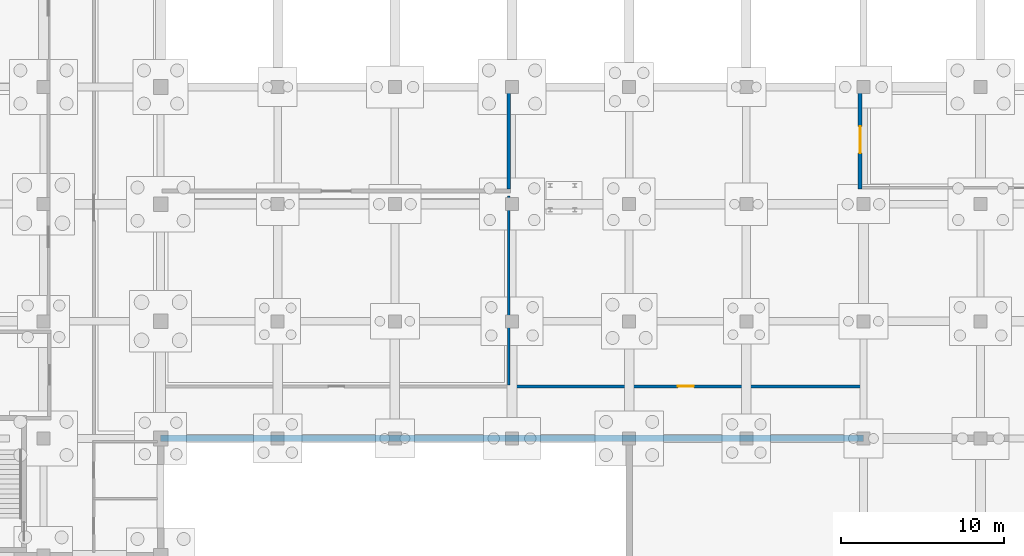
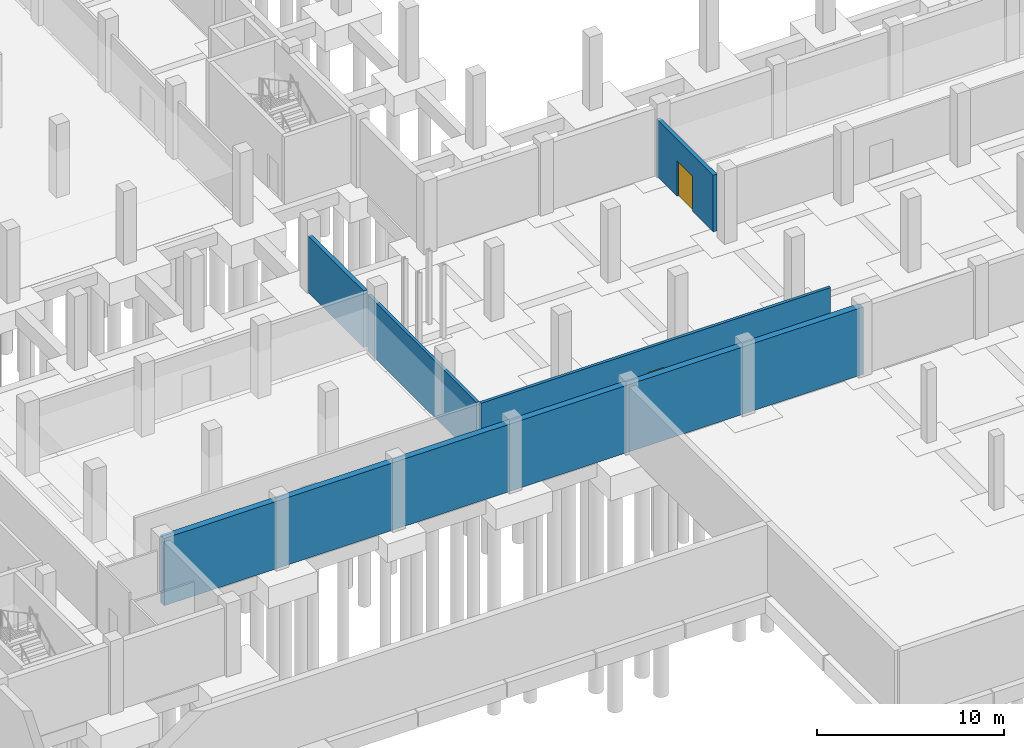
# One storey, part 24 of 38: 5 walls, 2 doors, 2 openings.
"""IFC4 building model written with IfcOpenShell, lengths in metres."""

from ifc_helpers import new_model, si_unit, direction, frame, frame_2d, origin, place, context, subcontext, project, spatial, rectangle, extrude, material, layer, layer_set, type_object, element, fill, save


model = new_model("IFC4")

# Units and contexts
model_context = context("Model", 3, precision=1e-05, world=origin(), true_north=direction((0.0, 1.0)))
body_context = subcontext(model_context, "Body", "Model", "MODEL_VIEW")
ifc_project = project(units=[si_unit("LENGTHUNIT", "METRE"), si_unit("AREAUNIT", "SQUARE_METRE"), si_unit("VOLUMEUNIT", "CUBIC_METRE"), si_unit("PLANEANGLEUNIT", "RADIAN"), si_unit("MASSUNIT", "GRAM", prefix="KILO")], contexts=[model_context])

# Site, building, storey
site_placement = place(None, origin())
site = spatial("IfcSite", under=ifc_project, at=site_placement, CompositionType="ELEMENT")
building_placement = place(site_placement, origin())
building = spatial("IfcBuilding", under=site, at=building_placement, Name="Valkovuoma Quantum and Materials Research Institute", CompositionType="ELEMENT")
storey_placement = place(building_placement, frame((0.0, 0.0, -4.800048828125)))
storey = spatial("IfcBuildingStorey", under=building, at=storey_placement, Name="B1", CompositionType="ELEMENT", Elevation=-4.800048828125)

# Wall
ifc_material_1 = material(Name="Laboratory fire-rated gypsum partition", Category="masonry")
ifc_layer_1 = layer(ifc_material_1, 0.179931640625)
ifc_layer_set_1 = layer_set([ifc_layer_1], Name="Laboratory fire-rated gypsum partition")
wall_type_1 = type_object("IfcWallType", Name="Wall-W-PRT180", PredefinedType="PARTITIONING", material=ifc_layer_set_1)
wall_1_placement = place(storey_placement, frame((35.800048828125, 39.2900390625, 0.0), z_axis=(0.0, 0.0, 1.0), x_axis=(0.0, 1.0, 0.0)))
element("IfcWall", 1, at=wall_1_placement, inside=storey, type_object=wall_type_1, Name="B1 partition 0011", PredefinedType="PARTITIONING", context=body_context, shape_type="SweptSolid", body=[
    extrude(rectangle(XDim=11.619873046875, YDim=0.179931640625, at=frame_2d((5.81005859375, 0.0))), origin(), (0.0, 0.0, 1.0), 3.699951171875),
])

# Wall, opening, door
wall_2_placement = place(storey_placement, frame((35.889892578125, 39.199951171875, 0.0), z_axis=(0.0, 0.0, 1.0), x_axis=(1.0, 0.0, 0.0)))
wall_2 = element("IfcWall", 2, at=wall_2_placement, inside=storey, type_object=wall_type_1, Name="B1 partition 0012", PredefinedType="PARTITIONING", context=body_context, shape_type="SweptSolid", body=[
    extrude(rectangle(XDim=21.60009765625, YDim=0.179931640625, at=frame_2d((10.800048828125, 0.0))), origin(), (0.0, 0.0, 1.0), 3.699951171875),
])
opening_1_placement = place(wall_2_placement, frame((10.31005859375, 0.0, 0.0)))
opening_1 = element("IfcOpeningElement", 3, at=opening_1_placement, cuts=wall_2, Name="Opening ID-0009", PredefinedType="OPENING", context=body_context, shape_type="SweptSolid", body=[
    extrude(rectangle(XDim=0.97998046875, YDim=2.10009765625, at=frame_2d((0.489990234375, 1.050048828125))), frame((0.0, 0.10009765625, 0.0), z_axis=(0.0, -1.0, 0.0), x_axis=(1.0, 0.0, 0.0)), (0.0, 0.0, 1.0), 0.199951171875),
])
ifc_material_2 = material(Name="Powder-coated steel and acoustic timber door assembly", Category="steel")
door_type_1 = type_object("IfcDoorType", Name="Door-DR-OF03", OperationType="NOTDEFINED", PredefinedType="DOOR", material=ifc_material_2)
door_1_placement = place(opening_1_placement, origin())
door_1 = element("IfcDoor", 4, at=door_1_placement, inside=storey, type_object=door_type_1, Name="B1 room door 0009", OperationType="SINGLE_SWING_RIGHT", OverallHeight=2.10009765625, OverallWidth=0.97998046875, PredefinedType="DOOR", context=body_context, shape_type="SweptSolid", body=[
    extrude(rectangle(XDim=0.97998046875, YDim=2.10009765625, at=frame_2d((0.489990234375, 1.050048828125))), frame((0.0, 0.02490234375, 0.0), z_axis=(0.0, -1.0, 0.0), x_axis=(1.0, 0.0, 0.0)), (0.0, 0.0, 1.0), 0.050048828125),
])
fill(opening_1, door_1)

# Walls
ifc_material_3 = material(Name="Concrete C35/45", Category="concrete")
ifc_layer_2 = layer(ifc_material_3, 0.39990234375)
ifc_layer_set_2 = layer_set([ifc_layer_2], Name="Concrete C35/45")
wall_type_2 = type_object("IfcWallType", Name="Wall-W-RET400", PredefinedType="STANDARD", material=ifc_layer_set_2)
wall_3_placement = place(storey_placement, frame((14.39990234375, 36.0, 0.0), z_axis=(0.0, 0.0, 1.0), x_axis=(1.0, 0.0, 0.0)))
element("IfcWall", 5, at=wall_3_placement, inside=storey, type_object=wall_type_2, Name="B1 exterior wall 0025", PredefinedType="STANDARD", context=body_context, shape_type="SweptSolid", body=[
    extrude(rectangle(XDim=43.2001953125, YDim=0.39990234375, at=frame_2d((21.60009765625, 0.0))), origin(), (0.0, 0.0, 1.0), 4.400146484375),
])
ifc_material_4 = material(Name="Concrete C40/50", Category="concrete")
ifc_layer_3 = layer(ifc_material_4, 0.239990234375)
ifc_layer_set_3 = layer_set([ifc_layer_3], Name="Concrete C40/50")
wall_type_3 = type_object("IfcWallType", Name="Wall-W-SHF240", PredefinedType="SOLIDWALL", material=ifc_layer_set_3)
wall_4_placement = place(storey_placement, frame((35.800048828125, 51.320068359375, 0.0), z_axis=(0.0, 0.0, 1.0), x_axis=(0.0, 1.0, 0.0)))
element("IfcWall", 6, at=wall_4_placement, inside=storey, type_object=wall_type_3, Name="B1 partition 0014", PredefinedType="SOLIDWALL", context=body_context, shape_type="SweptSolid", body=[
    extrude(rectangle(XDim=5.9599609375, YDim=0.239990234375, at=frame_2d((2.97998046875, 0.0))), origin(), (0.0, 0.0, 1.0), 3.699951171875),
])

# Wall, opening, door
wall_5_placement = place(storey_placement, frame((57.39990234375, 51.320068359375, 0.0), z_axis=(0.0, 0.0, 1.0), x_axis=(0.0, 1.0, 0.0)))
wall_5 = element("IfcWall", 7, at=wall_5_placement, inside=storey, type_object=wall_type_3, Name="B1 partition 0015", PredefinedType="SOLIDWALL", context=body_context, shape_type="SweptSolid", body=[
    extrude(rectangle(XDim=6.079833984375, YDim=0.239990234375, at=frame_2d((3.0400390625, 0.0))), origin(), (0.0, 0.0, 1.0), 3.699951171875),
])
opening_2_placement = place(wall_5_placement, frame((2.215087890625, 0.0, 0.0)))
opening_2 = element("IfcOpeningElement", 8, at=opening_2_placement, cuts=wall_5, Name="Opening ID-0011", PredefinedType="OPENING", context=body_context, shape_type="SweptSolid", body=[
    extrude(rectangle(XDim=1.64990234375, YDim=2.300048828125, at=frame_2d((0.824951171875, 1.14990234375))), frame((0.0, 0.1298828125, 0.0), z_axis=(0.0, -1.0, 0.0), x_axis=(1.0, 0.0, 0.0)), (0.0, 0.0, 1.0), 0.260009765625),
])
ifc_material_5 = material(Name="Powder-coated steel and acoustic timber door assembly", Category="steel")
door_type_2 = type_object("IfcDoorType", Name="Door-DR-PL01", OperationType="NOTDEFINED", PredefinedType="DOOR", material=ifc_material_5)
door_2_placement = place(opening_2_placement, origin())
door_2 = element("IfcDoor", 9, at=door_2_placement, inside=storey, type_object=door_type_2, Name="B1 room door 0011", OperationType="DOUBLE_DOOR_SINGLE_SWING", OverallHeight=2.300048828125, OverallWidth=1.64990234375, PredefinedType="DOOR", context=body_context, shape_type="SweptSolid", body=[
    extrude(rectangle(XDim=1.64990234375, YDim=2.300048828125, at=frame_2d((0.824951171875, 1.14990234375))), frame((0.0, 0.02490234375, 0.0), z_axis=(0.0, -1.0, 0.0), x_axis=(1.0, 0.0, 0.0)), (0.0, 0.0, 1.0), 0.050048828125),
])
fill(opening_2, door_2)

save(model, "model.ifc")
